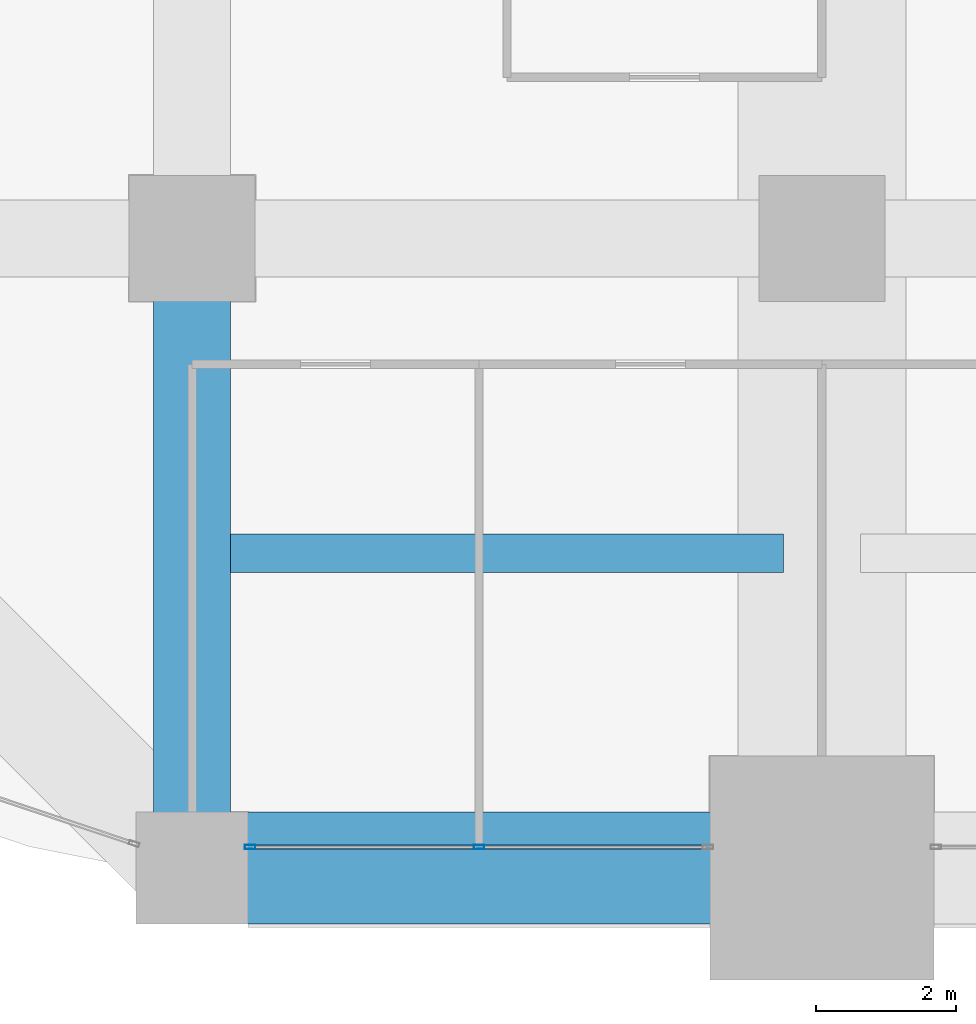
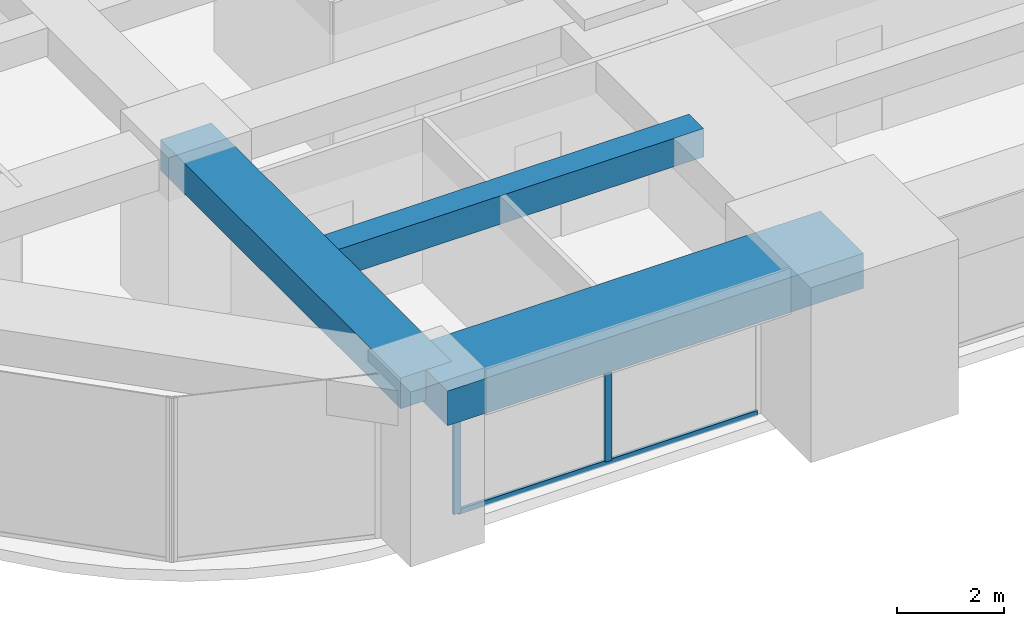
# One storey, part 3 of 36: 3 beams, 3 members, 1 element without a shape of its own.
"""IFC4 building model written with IfcOpenShell, lengths in metres."""

from ifc_helpers import new_model, si_unit, direction, frame, origin, origin_2d, place, context, subcontext, project, spatial, rectangle, hollow_rectangle, extrude, material, material_profile, profile_set, type_object, element, aggregate, save


model = new_model("IFC4")

# Units and contexts
model_context = context("Model", 3, precision=1e-05, world=origin(), true_north=direction((0.0, 1.0)))
body_context = subcontext(model_context, "Body", "Model", "MODEL_VIEW")
ifc_project = project(units=[si_unit("LENGTHUNIT", "METRE"), si_unit("AREAUNIT", "SQUARE_METRE"), si_unit("VOLUMEUNIT", "CUBIC_METRE"), si_unit("PLANEANGLEUNIT", "RADIAN"), si_unit("MASSUNIT", "GRAM", prefix="KILO")], contexts=[model_context])

# Site, building, storey
site_placement = place(None, origin())
site = spatial("IfcSite", under=ifc_project, at=site_placement, CompositionType="ELEMENT")
building_placement = place(site_placement, origin())
building = spatial("IfcBuilding", under=site, at=building_placement, Name="Zorevar Civic Tower", CompositionType="ELEMENT")
storey_placement = place(building_placement, frame((0.0, 0.0, 166.199951171875)))
storey = spatial("IfcBuildingStorey", under=building, at=storey_placement, Name="L40", CompositionType="ELEMENT", Elevation=166.199951171875)

# Beams
ifc_material_1 = material(Name="Concrete C50/60", Category="concrete")
ifc_material_profile_1 = material_profile(ifc_material_1, rectangle(XDim=1.10009765625, YDim=0.699951171875, at=origin_2d()), Name="RC 1100x700")
ifc_profile_set_1 = profile_set([ifc_material_profile_1], Name="Concrete C50/60")
beam_type_1 = type_object("IfcBeamType", Name="Beam RC 1100x700", PredefinedType="BEAM", material=ifc_profile_set_1)
beam_1_placement = place(storey_placement, frame((9.0, 0.0, 3.400146484375), z_axis=(0.0, 1.0, 0.0), x_axis=(-1.0, 0.0, 0.0)))
element("IfcBeam", 1, at=beam_1_placement, inside=storey, type_object=beam_type_1, Name="Girder L41", PredefinedType="BEAM", context=body_context, shape_type="SweptSolid", body=[
    extrude(rectangle(XDim=1.10009765625, YDim=0.699951171875, at=origin_2d()), origin(), (0.0, 0.0, 1.0), 9.0),
])
ifc_material_2 = material(Name="Concrete C50/60", Category="concrete")
ifc_material_profile_2 = material_profile(ifc_material_2, rectangle(XDim=0.550048828125, YDim=0.64990234375, at=origin_2d()), Name="RC 550x650")
ifc_profile_set_2 = profile_set([ifc_material_profile_2], Name="Concrete C50/60")
beam_type_2 = type_object("IfcBeamType", Name="Beam RC 550x650", PredefinedType="BEAM", material=ifc_profile_set_2)
beam_2_placement = place(storey_placement, frame((9.550048828125, 4.5, 3.425048828125), z_axis=(1.0, 0.0, 0.0), x_axis=(0.0, 1.0, 0.0)))
element("IfcBeam", 2, at=beam_2_placement, inside=storey, type_object=beam_type_2, Name="Secondary beam L41", PredefinedType="BEAM", context=body_context, shape_type="SweptSolid", body=[
    extrude(rectangle(XDim=0.550048828125, YDim=0.64990234375, at=origin_2d()), origin(), (0.0, 0.0, 1.0), 7.89990234375),
])

# Curtain wall, members
ifc_material_3 = material(Name="Dark grey solar-control glass in black aluminium frame", Category="aluminium")
curtain_wall_type = type_object("IfcCurtainWallType", Name="Curtain wall CW4 high zone", PredefinedType="NOTDEFINED", material=ifc_material_3)
curtain_wall_placement = place(storey_placement, origin())
curtain_wall = element("IfcCurtainWall", 3, at=curtain_wall_placement, inside=storey, type_object=curtain_wall_type, Name="CW4 L40", PredefinedType="NOTDEFINED")
ifc_material_4 = material(Name="Aluminium, black anodised", Category="aluminium")
ifc_material_profile_3 = material_profile(ifc_material_4, hollow_rectangle(XDim=0.06005859375, YDim=0.14990234375, WallThickness=0.00390625, at=origin_2d()), Name="AL 150x60x4")
ifc_profile_set_3 = profile_set([ifc_material_profile_3], Name="Aluminium, black anodised")
member_type_1 = type_object("IfcMemberType", Name="CW4 mullion AL 150x60x4", PredefinedType="MULLION", material=ifc_profile_set_3)
member_1_placement = place(storey_placement, frame((9.830078125, 0.300048828125, 0.0), z_axis=(0.0, 0.0, 1.0), x_axis=(0.0, 1.0, 0.0)))
member_1 = element("IfcMember", 4, at=member_1_placement, type_object=member_type_1, Name="CW4 mullion 1", PredefinedType="MULLION", context=body_context, shape_type="SweptSolid", body=[
    extrude(hollow_rectangle(XDim=0.06005859375, YDim=0.14990234375, WallThickness=0.00390625, at=origin_2d()), origin(), (0.0, 0.0, 1.0), 2.949951171875),
])
member_2_placement = place(storey_placement, frame((13.10009765625, 0.300048828125, 0.06005859375), z_axis=(0.0, 0.0, 1.0), x_axis=(0.0, 1.0, 0.0)))
member_2 = element("IfcMember", 5, at=member_2_placement, type_object=member_type_1, Name="CW4 mullion 2", PredefinedType="MULLION", context=body_context, shape_type="SweptSolid", body=[
    extrude(hollow_rectangle(XDim=0.06005859375, YDim=0.14990234375, WallThickness=0.00390625, at=origin_2d()), origin(), (0.0, 0.0, 1.0), 2.889892578125),
])
ifc_material_5 = material(Name="Aluminium, black anodised", Category="aluminium")
ifc_material_profile_4 = material_profile(ifc_material_5, hollow_rectangle(XDim=0.06005859375, YDim=0.1201171875, WallThickness=0.0029296875, at=origin_2d()), Name="AL 120x60x3")
ifc_profile_set_4 = profile_set([ifc_material_profile_4], Name="Aluminium, black anodised")
member_type_2 = type_object("IfcMemberType", Name="CW4 transom AL 120x60x3", PredefinedType="USERDEFINED", material=ifc_profile_set_4)
member_3_placement = place(storey_placement, frame((9.860107421875, 0.300048828125, 0.030029296875), z_axis=(1.0, 0.0, 0.0), x_axis=(0.0, 1.0, 0.0)))
member_3 = element("IfcMember", 6, at=member_3_placement, type_object=member_type_2, Name="CW4 sill transom", ObjectType="TRANSOM", PredefinedType="USERDEFINED", context=body_context, shape_type="SweptSolid", body=[
    extrude(hollow_rectangle(XDim=0.06005859375, YDim=0.1201171875, WallThickness=0.0029296875, at=origin_2d()), origin(), (0.0, 0.0, 1.0), 6.47998046875),
])
aggregate(curtain_wall, [member_1, member_2, member_3])

# Beam
ifc_material_6 = material(Name="Concrete C50/60", Category="concrete")
ifc_material_profile_5 = material_profile(ifc_material_6, rectangle(XDim=1.60009765625, YDim=0.800048828125, at=origin_2d()), Name="RC 1600x800")
ifc_profile_set_5 = profile_set([ifc_material_profile_5], Name="Concrete C50/60")
beam_type_3 = type_object("IfcBeamType", Name="Edge beam RC 1600x800", PredefinedType="SPANDREL", material=ifc_profile_set_5)
beam_3_placement = place(storey_placement, frame((9.0, 0.0, 3.35009765625), z_axis=(1.0, 0.0, 0.0), x_axis=(0.0, 1.0, 0.0)))
element("IfcBeam", 7, at=beam_3_placement, inside=storey, type_object=beam_type_3, Name="Edge beam L41", PredefinedType="SPANDREL", context=body_context, shape_type="SweptSolid", body=[
    extrude(rectangle(XDim=1.60009765625, YDim=0.800048828125, at=origin_2d()), origin(), (0.0, 0.0, 1.0), 9.0),
])

save(model, "model.ifc")
